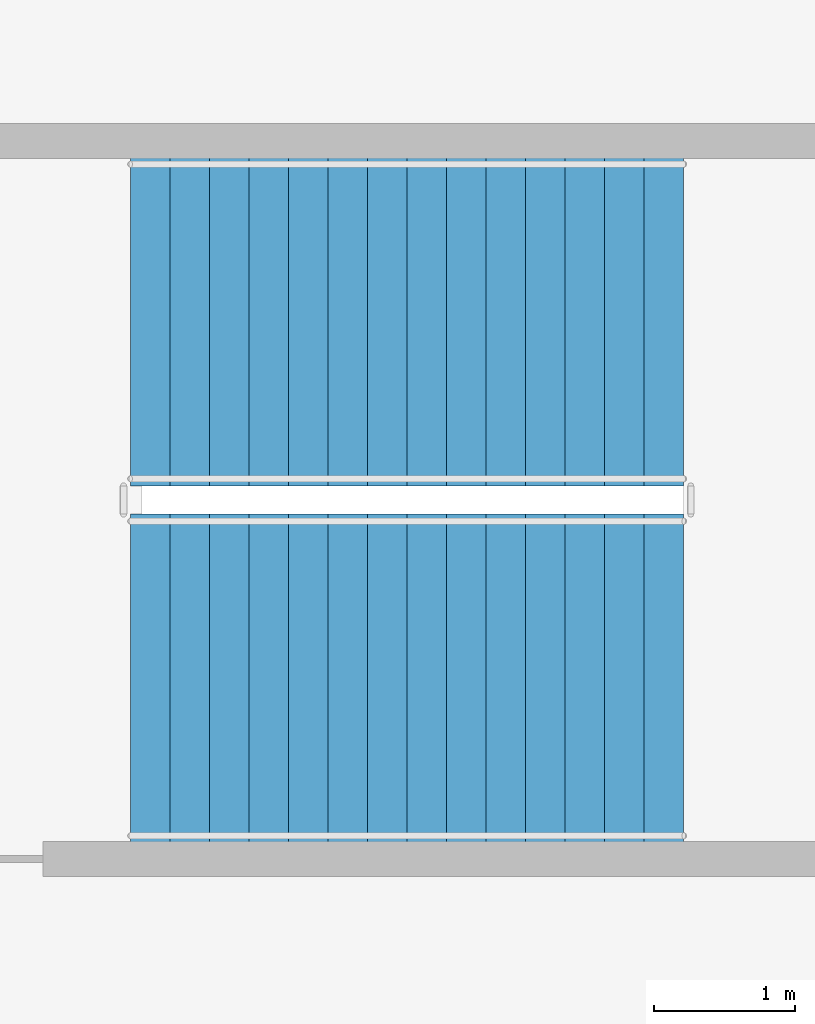
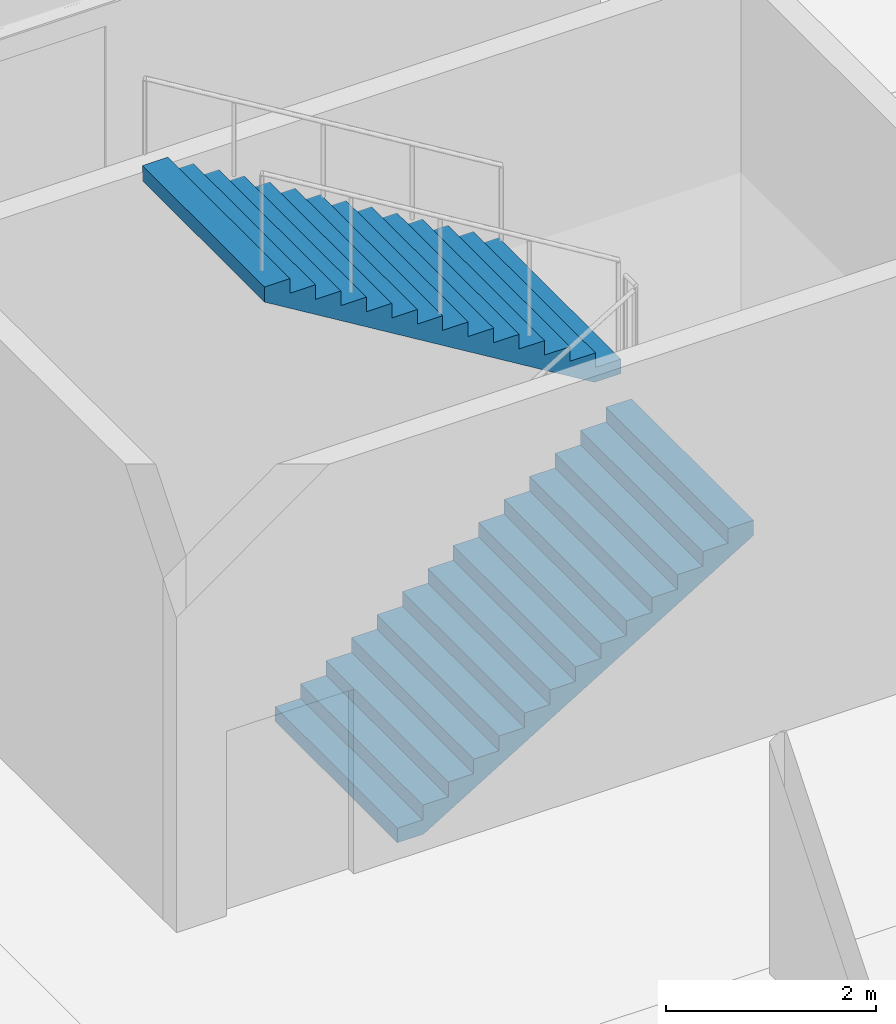
# One storey, part 102 of 128: 2 stair flights, 1 element without a shape of its own.
"""IFC4 building model written with IfcOpenShell, lengths in metres."""

from ifc_helpers import new_model, si_unit, direction, frame, origin, place, context, subcontext, project, spatial, polyline, outline, extrude, material, type_object, element, aggregate, save


model = new_model("IFC4")

# Units and contexts
model_context = context("Model", 3, precision=1e-05, world=origin(), true_north=direction((0.0, 1.0)))
body_context = subcontext(model_context, "Body", "Model", "MODEL_VIEW")
ifc_project = project(units=[si_unit("LENGTHUNIT", "METRE"), si_unit("AREAUNIT", "SQUARE_METRE"), si_unit("VOLUMEUNIT", "CUBIC_METRE"), si_unit("PLANEANGLEUNIT", "RADIAN"), si_unit("MASSUNIT", "GRAM", prefix="KILO")], contexts=[model_context])

# Site, building, storey
site_placement = place(None, origin())
site = spatial("IfcSite", under=ifc_project, at=site_placement, CompositionType="ELEMENT")
building_placement = place(site_placement, origin())
building = spatial("IfcBuilding", under=site, at=building_placement, Name="Kazenohara Klinker Stadium", CompositionType="ELEMENT")
storey_placement = place(building_placement, frame((0.0, 0.0, 15.300048828125)))
storey = spatial("IfcBuildingStorey", under=building, at=storey_placement, Name="L03", CompositionType="ELEMENT", Elevation=15.300048828125)

# Stair, stair flights
ifc_material = material(Name="Concrete C40/50", Category="concrete")
stair_type = type_object("IfcStairType", Name="STR-DL-2330", PredefinedType="HALF_TURN_STAIR", material=ifc_material)
stair_placement = place(storey_placement, origin())
stair = element("IfcStair", 1, at=stair_placement, inside=storey, type_object=stair_type, Name="L03 Enclosed escape stair ST11", PredefinedType="HALF_TURN_STAIR")
stair_flight_type = type_object("IfcStairFlightType", Name="FLT-DL-2330-5100", PredefinedType="STRAIGHT", material=ifc_material)
stair_flight_1_placement = place(storey_placement, frame((129.1201171875, 148.735107421875, 0.0), z_axis=(0.0, 0.0, 1.0), x_axis=(1.0, 0.0, 0.0)))
stair_flight_1 = element("IfcStairFlight", 2, at=stair_flight_1_placement, type_object=stair_flight_type, Name="ST11 flight 1", NumberOfRisers=15, NumberOfTreads=14, PredefinedType="STRAIGHT", RiserHeight=0.17, TreadLength=0.28, context=body_context, shape_type="SweptSolid", body=[
    extrude(outline(polyline([(0.0, 0.0), (0.0, 0.169921875), (0.280029296875, 0.169921875), (0.280029296875, 0.340087890625), (0.56005859375, 0.340087890625), (0.56005859375, 0.510009765625), (0.840087890625, 0.510009765625), (0.840087890625, 0.679931640625), (1.1201171875, 0.679931640625), (1.1201171875, 0.85009765625), (1.39990234375, 0.85009765625), (1.39990234375, 1.02001953125), (1.679931640625, 1.02001953125), (1.679931640625, 1.18994140625), (1.9599609375, 1.18994140625), (1.9599609375, 1.360107421875), (2.239990234375, 1.360107421875), (2.239990234375, 1.530029296875), (2.52001953125, 1.530029296875), (2.52001953125, 1.699951171875), (2.800048828125, 1.699951171875), (2.800048828125, 1.8701171875), (3.080078125, 1.8701171875), (3.080078125, 2.0400390625), (3.360107421875, 2.0400390625), (3.360107421875, 2.2099609375), (3.639892578125, 2.2099609375), (3.639892578125, 2.3798828125), (3.919921875, 2.3798828125), (3.919921875, 2.550048828125), (3.919921875, 2.20458984375), (0.288818359375, 0.0), (0.0, 0.0)])), frame((0.0, 1.1650390625, 0.0), z_axis=(0.0, -1.0, 0.0), x_axis=(1.0, 0.0, 0.0)), (0.0, 0.0, 1.0), 2.330078125),
])
stair_flight_2_placement = place(storey_placement, frame((133.0400390625, 151.264892578125, 2.550048828125), z_axis=(0.0, 0.0, 1.0), x_axis=(-1.0, 0.0, 0.0)))
stair_flight_2 = element("IfcStairFlight", 3, at=stair_flight_2_placement, type_object=stair_flight_type, Name="ST11 flight 2", NumberOfRisers=15, NumberOfTreads=14, PredefinedType="STRAIGHT", RiserHeight=0.17, TreadLength=0.28, context=body_context, shape_type="SweptSolid", body=[
    extrude(outline(polyline([(0.0, 0.0), (0.0, 0.169921875), (0.280029296875, 0.169921875), (0.280029296875, 0.340087890625), (0.56005859375, 0.340087890625), (0.56005859375, 0.510009765625), (0.840087890625, 0.510009765625), (0.840087890625, 0.679931640625), (1.1201171875, 0.679931640625), (1.1201171875, 0.85009765625), (1.39990234375, 0.85009765625), (1.39990234375, 1.02001953125), (1.679931640625, 1.02001953125), (1.679931640625, 1.18994140625), (1.9599609375, 1.18994140625), (1.9599609375, 1.360107421875), (2.239990234375, 1.360107421875), (2.239990234375, 1.530029296875), (2.52001953125, 1.530029296875), (2.52001953125, 1.699951171875), (2.800048828125, 1.699951171875), (2.800048828125, 1.8701171875), (3.080078125, 1.8701171875), (3.080078125, 2.0400390625), (3.360107421875, 2.0400390625), (3.360107421875, 2.2099609375), (3.639892578125, 2.2099609375), (3.639892578125, 2.3798828125), (3.919921875, 2.3798828125), (3.919921875, 2.550048828125), (3.919921875, 2.20458984375), (0.288818359375, 0.0), (0.0, 0.0)])), frame((0.0, 1.1650390625, 0.0), z_axis=(0.0, -1.0, 0.0), x_axis=(1.0, 0.0, 0.0)), (0.0, 0.0, 1.0), 2.330078125),
])
aggregate(stair, [stair_flight_1, stair_flight_2])

save(model, "model.ifc")
